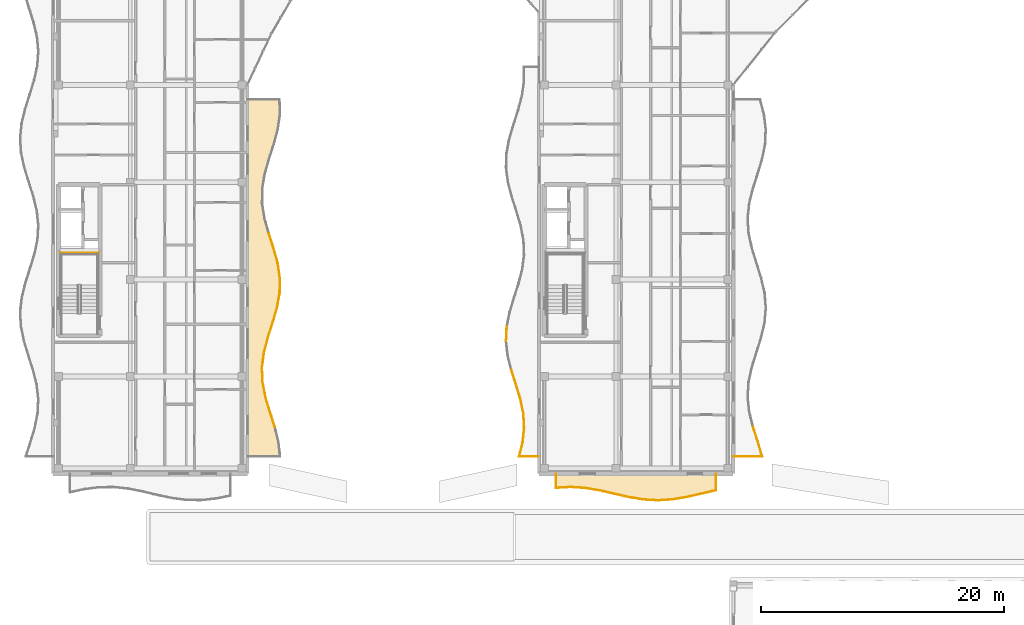
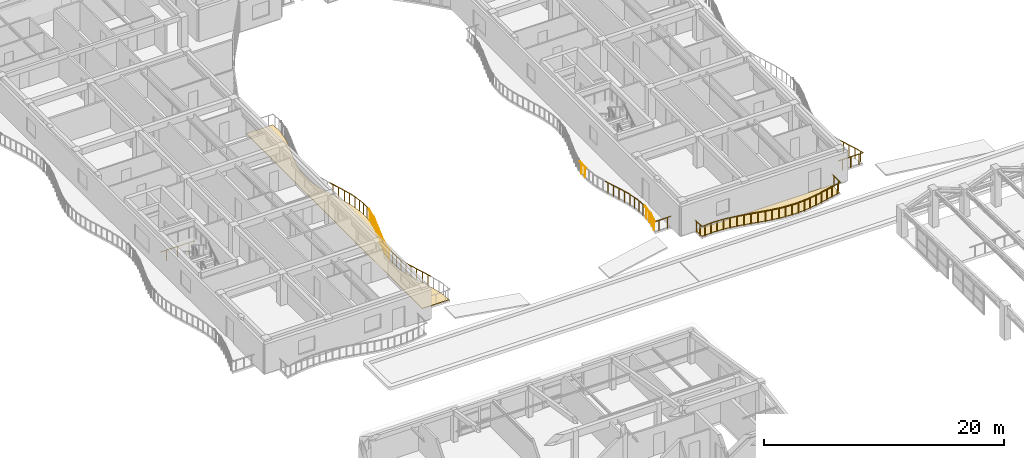
# One storey, part 104 of 128: 38 railings, 2 coverings.
"""IFC4 building model written with IfcOpenShell, lengths in metres."""

from ifc_helpers import new_model, si_unit, direction, frame, origin, origin_2d, place, context, subcontext, project, spatial, polyline, circle, outline, extrude, material, layer, layer_set, type_object, element, save


model = new_model("IFC4")

# Units and contexts
model_context = context("Model", 3, precision=1e-05, world=origin(), true_north=direction((0.0, 1.0)))
body_context = subcontext(model_context, "Body", "Model", "MODEL_VIEW")
ifc_project = project(units=[si_unit("LENGTHUNIT", "METRE"), si_unit("AREAUNIT", "SQUARE_METRE"), si_unit("VOLUMEUNIT", "CUBIC_METRE"), si_unit("PLANEANGLEUNIT", "RADIAN"), si_unit("MASSUNIT", "GRAM", prefix="KILO")], contexts=[model_context])

# Site, building, storey
site_placement = place(None, origin())
site = spatial("IfcSite", under=ifc_project, at=site_placement, CompositionType="ELEMENT")
building_placement = place(site_placement, origin())
building = spatial("IfcBuilding", under=site, at=building_placement, Name="Keldmere Railside Commons", CompositionType="ELEMENT")
storey_placement = place(building_placement, frame((0.0, 0.0, 4.159912109375)))
storey = spatial("IfcBuildingStorey", under=building, at=storey_placement, Name="L01", CompositionType="ELEMENT", Elevation=4.159912109375)

# Railings
ifc_material_1 = material(Name="Steel F-24 (S235)", Category="steel")
railing_type_1 = type_object("IfcRailingType", Name="Balcony & Terrace Steel Balustrade 1100", PredefinedType="BALUSTRADE", material=ifc_material_1)
railing_1_placement = place(storey_placement, frame((26.257568359375, 59.85009765625, 0.0)))
element("IfcRailing", 1, at=railing_1_placement, inside=storey, type_object=railing_type_1, Name="GR-1 GRD-L01-0032", PredefinedType="BALUSTRADE", context=body_context, shape_type="SweptSolid", body=[
    extrude(circle(Radius=0.02392578125, at=origin_2d()), frame((0.0, 0.0, 1.076171875), z_axis=(-0.304355456658, 0.952558531536, 0.0), x_axis=(-0.952558531536, -0.304355456658, 0.0)), (0.0, 0.0, 1.0), 1.285888671875),
    extrude(circle(Radius=0.02099609375, at=origin_2d()), frame((-0.097900390625, 0.30615234375, 0.0)), (0.0, 0.0, 1.0), 1.048095703125),
    extrude(circle(Radius=0.02099609375, at=origin_2d()), frame((-0.29345703125, 0.918701171875, 0.0)), (0.0, 0.0, 1.0), 1.048095703125),
])
railing_2_placement = place(storey_placement, frame((25.8662109375, 61.074951171875, 0.0)))
element("IfcRailing", 2, at=railing_2_placement, inside=storey, type_object=railing_type_1, Name="GR-1 GRD-L01-0033", PredefinedType="BALUSTRADE", context=body_context, shape_type="SweptSolid", body=[
    extrude(circle(Radius=0.02392578125, at=origin_2d()), frame((0.0, 0.0, 1.076171875), z_axis=(-0.287628036706, 0.957742195218, 0.0), x_axis=(-0.957742195218, -0.287628036706, 0.0)), (0.0, 0.0, 1.0), 1.279052734375),
    extrude(circle(Radius=0.02099609375, at=origin_2d()), frame((-0.092041015625, 0.30615234375, 0.0)), (0.0, 0.0, 1.0), 1.048095703125),
    extrude(circle(Radius=0.02099609375, at=origin_2d()), frame((-0.27587890625, 0.9189453125, 0.0)), (0.0, 0.0, 1.0), 1.048095703125),
])
railing_3_placement = place(storey_placement, frame((25.498291015625, 62.300048828125, 0.0)))
element("IfcRailing", 3, at=railing_3_placement, inside=storey, type_object=railing_type_1, Name="GR-1 GRD-L01-0034", PredefinedType="BALUSTRADE", context=body_context, shape_type="SweptSolid", body=[
    extrude(circle(Radius=0.02392578125, at=origin_2d()), frame((0.0, 0.0, 1.076171875), z_axis=(-0.193784094747, 0.981044201157, 0.0), x_axis=(-0.981044201157, -0.193784094747, 0.0)), (0.0, 0.0, 1.0), 1.24853515625),
    extrude(circle(Radius=0.02099609375, at=origin_2d()), frame((-0.060546875, 0.30615234375, 0.0)), (0.0, 0.0, 1.0), 1.048095703125),
    extrude(circle(Radius=0.02099609375, at=origin_2d()), frame((-0.181396484375, 0.918701171875, 0.0)), (0.0, 0.0, 1.0), 1.048095703125),
])
railing_4_placement = place(storey_placement, frame((25.25634765625, 63.52490234375, 0.0)))
element("IfcRailing", 4, at=railing_4_placement, inside=storey, type_object=railing_type_1, Name="GR-1 GRD-L01-0035", PredefinedType="BALUSTRADE", context=body_context, shape_type="SweptSolid", body=[
    extrude(circle(Radius=0.02392578125, at=origin_2d()), frame((0.0, 0.0, 1.076171875), z_axis=(-0.039626086302, 0.999214578199, 0.0), x_axis=(-0.999214578199, -0.039626086302, 0.0)), (0.0, 0.0, 1.0), 1.22607421875),
    extrude(circle(Radius=0.02099609375, at=origin_2d()), frame((-0.01220703125, 0.30615234375, 0.0)), (0.0, 0.0, 1.0), 1.048095703125),
    extrude(circle(Radius=0.02099609375, at=origin_2d()), frame((-0.036376953125, 0.9189453125, 0.0)), (0.0, 0.0, 1.0), 1.048095703125),
])
railing_5_placement = place(storey_placement, frame((25.207763671875, 64.75, 0.0)))
element("IfcRailing", 5, at=railing_5_placement, inside=storey, type_object=railing_type_1, Name="GR-1 GRD-L01-0036", PredefinedType="BALUSTRADE", context=body_context, shape_type="SweptSolid", body=[
    extrude(circle(Radius=0.02392578125, at=origin_2d()), frame((0.0, 0.0, 1.076171875), z_axis=(0.128460444743, 0.991714633418, 0.0), x_axis=(-0.991714633418, 0.128460444743, 0.0)), (0.0, 0.0, 1.0), 1.2353515625),
    extrude(circle(Radius=0.02099609375, at=origin_2d()), frame((0.03955078125, 0.30615234375, 0.0)), (0.0, 0.0, 1.0), 1.048095703125),
    extrude(circle(Radius=0.02099609375, at=origin_2d()), frame((0.119140625, 0.9189453125, 0.0)), (0.0, 0.0, 1.0), 1.048095703125),
])
railing_6_placement = place(storey_placement, frame((25.366455078125, 65.97509765625, 0.0)))
element("IfcRailing", 6, at=railing_6_placement, inside=storey, type_object=railing_type_1, Name="GR-1 GRD-L01-0037", PredefinedType="BALUSTRADE", context=body_context, shape_type="SweptSolid", body=[
    extrude(circle(Radius=0.02392578125, at=origin_2d()), frame((0.0, 0.0, 1.076171875), z_axis=(0.253724517148, 0.967276521682, 0.0), x_axis=(-0.967276521682, 0.253724517148, 0.0)), (0.0, 0.0, 1.0), 1.266357421875),
    extrude(circle(Radius=0.02099609375, at=origin_2d()), frame((0.080322265625, 0.30615234375, 0.0)), (0.0, 0.0, 1.0), 1.048095703125),
    extrude(circle(Radius=0.02099609375, at=origin_2d()), frame((0.240966796875, 0.918701171875, 0.0)), (0.0, 0.0, 1.0), 1.048095703125),
])
railing_7_placement = place(storey_placement, frame((25.687744140625, 67.199951171875, 0.0)))
element("IfcRailing", 7, at=railing_7_placement, inside=storey, type_object=railing_type_1, Name="GR-1 GRD-L01-0038", PredefinedType="BALUSTRADE", context=body_context, shape_type="SweptSolid", body=[
    extrude(circle(Radius=0.02392578125, at=origin_2d()), frame((0.0, 0.0, 1.076171875), z_axis=(0.30653719203, 0.951858681687, 0.0), x_axis=(-0.951858681687, 0.30653719203, 0.0)), (0.0, 0.0, 1.0), 1.287109375),
    extrude(circle(Radius=0.02099609375, at=origin_2d()), frame((0.0986328125, 0.30615234375, 0.0)), (0.0, 0.0, 1.0), 1.048095703125),
    extrude(circle(Radius=0.02099609375, at=origin_2d()), frame((0.2958984375, 0.9189453125, 0.0)), (0.0, 0.0, 1.0), 1.048095703125),
])
railing_8_placement = place(storey_placement, frame((26.082275390625, 68.425048828125, 0.0)))
element("IfcRailing", 8, at=railing_8_placement, inside=storey, type_object=railing_type_1, Name="GR-1 GRD-L01-0039", PredefinedType="BALUSTRADE", context=body_context, shape_type="SweptSolid", body=[
    extrude(circle(Radius=0.02392578125, at=origin_2d()), frame((0.0, 0.0, 1.076171875), z_axis=(0.280301219143, 0.959912093135, 0.0), x_axis=(-0.959912093135, 0.280301219143, 0.0)), (0.0, 0.0, 1.0), 1.276123046875),
    extrude(circle(Radius=0.02099609375, at=origin_2d()), frame((0.08935546875, 0.30615234375, 0.0)), (0.0, 0.0, 1.0), 1.048095703125),
    extrude(circle(Radius=0.02099609375, at=origin_2d()), frame((0.268310546875, 0.918701171875, 0.0)), (0.0, 0.0, 1.0), 1.048095703125),
])
railing_9_placement = place(storey_placement, frame((26.43994140625, 69.64990234375, 0.0)))
element("IfcRailing", 9, at=railing_9_placement, inside=storey, type_object=railing_type_1, Name="GR-1 GRD-L01-0040", PredefinedType="BALUSTRADE", context=body_context, shape_type="SweptSolid", body=[
    extrude(circle(Radius=0.02392578125, at=origin_2d()), frame((0.0, 0.0, 1.076171875), z_axis=(0.177487324319, 0.984123086665, 0.0), x_axis=(-0.984123086665, 0.177487324319, 0.0)), (0.0, 0.0, 1.0), 1.244873046875),
    extrude(circle(Radius=0.02099609375, at=origin_2d()), frame((0.05517578125, 0.30615234375, 0.0)), (0.0, 0.0, 1.0), 1.048095703125),
    extrude(circle(Radius=0.02099609375, at=origin_2d()), frame((0.165771484375, 0.9189453125, 0.0)), (0.0, 0.0, 1.0), 1.048095703125),
])
railing_10_placement = place(storey_placement, frame((26.660888671875, 70.875, 0.0)))
element("IfcRailing", 10, at=railing_10_placement, inside=storey, type_object=railing_type_1, Name="GR-1 GRD-L01-0041", PredefinedType="BALUSTRADE", context=body_context, shape_type="SweptSolid", body=[
    extrude(circle(Radius=0.02392578125, at=origin_2d()), frame((0.0, 0.0, 1.076171875), z_axis=(0.018530098083, 0.999828302993, 0.0), x_axis=(-0.999828302993, 0.018530098083, 0.0)), (0.0, 0.0, 1.0), 1.225341796875),
    extrude(circle(Radius=0.02099609375, at=origin_2d()), frame((0.005615234375, 0.30615234375, 0.0)), (0.0, 0.0, 1.0), 1.048095703125),
    extrude(circle(Radius=0.02099609375, at=origin_2d()), frame((0.01708984375, 0.9189453125, 0.0)), (0.0, 0.0, 1.0), 1.048095703125),
])
railing_11_placement = place(storey_placement, frame((26.68359375, 72.10009765625, 0.0)))
element("IfcRailing", 11, at=railing_11_placement, inside=storey, type_object=railing_type_1, Name="GR-1 GRD-L01-0042", PredefinedType="BALUSTRADE", context=body_context, shape_type="SweptSolid", body=[
    extrude(circle(Radius=0.02392578125, at=origin_2d()), frame((0.0, 0.0, 1.076171875), z_axis=(-0.147077385167, 0.989124988448, 0.0), x_axis=(-0.989124988448, -0.147077385167, 0.0)), (0.0, 0.0, 1.0), 1.23828125),
    extrude(circle(Radius=0.02099609375, at=origin_2d()), frame((-0.04541015625, 0.30615234375, 0.0)), (0.0, 0.0, 1.0), 1.048095703125),
    extrude(circle(Radius=0.02099609375, at=origin_2d()), frame((-0.13671875, 0.918701171875, 0.0)), (0.0, 0.0, 1.0), 1.048095703125),
])
railing_12_placement = place(storey_placement, frame((26.50146484375, 73.324951171875, 0.0)))
element("IfcRailing", 12, at=railing_12_placement, inside=storey, type_object=railing_type_1, Name="GR-1 GRD-L01-0043", PredefinedType="BALUSTRADE", context=body_context, shape_type="SweptSolid", body=[
    extrude(circle(Radius=0.02392578125, at=origin_2d()), frame((0.0, 0.0, 1.076171875), z_axis=(-0.264271882184, 0.964448221672, 0.0), x_axis=(-0.964448221672, -0.264271882184, 0.0)), (0.0, 0.0, 1.0), 1.270263671875),
    extrude(circle(Radius=0.02099609375, at=origin_2d()), frame((-0.083984375, 0.30615234375, 0.0)), (0.0, 0.0, 1.0), 1.048095703125),
    extrude(circle(Radius=0.02099609375, at=origin_2d()), frame((-0.251708984375, 0.9189453125, 0.0)), (0.0, 0.0, 1.0), 1.048095703125),
])
railing_13_placement = place(storey_placement, frame((26.165771484375, 74.550048828125, 0.0)))
element("IfcRailing", 13, at=railing_13_placement, inside=storey, type_object=railing_type_1, Name="GR-1 GRD-L01-0044", PredefinedType="BALUSTRADE", context=body_context, shape_type="SweptSolid", body=[
    extrude(circle(Radius=0.02392578125, at=origin_2d()), frame((0.0, 0.0, 1.076171875), z_axis=(-0.307623344655, 0.951508212168, 0.0), x_axis=(-0.951508212168, -0.307623344655, 0.0)), (0.0, 0.0, 1.0), 1.287353515625),
    extrude(circle(Radius=0.02099609375, at=origin_2d()), frame((-0.09912109375, 0.30615234375, 0.0)), (0.0, 0.0, 1.0), 1.048095703125),
    extrude(circle(Radius=0.02099609375, at=origin_2d()), frame((-0.296875, 0.918701171875, 0.0)), (0.0, 0.0, 1.0), 1.048095703125),
])
railing_14_placement = place(storey_placement, frame((64.0, 57.39990234375, 0.0)))
element("IfcRailing", 14, at=railing_14_placement, inside=storey, type_object=railing_type_1, Name="GR-1 GRD-L01-0825", PredefinedType="BALUSTRADE", context=body_context, shape_type="SweptSolid", body=[
    extrude(circle(Radius=0.02392578125, at=origin_2d()), frame((0.0, 0.0, 1.076171875), z_axis=(1.0, 0.0, 0.0), x_axis=(0.0, 1.0, 0.0)), (0.0, 0.0, 1.0), 2.39892578125),
    extrude(circle(Radius=0.02099609375, at=origin_2d()), frame((0.39990234375, 0.0, 0.0)), (0.0, 0.0, 1.0), 1.048095703125),
    extrude(circle(Radius=0.02099609375, at=origin_2d()), frame((1.199462890625, 0.0, 0.0)), (0.0, 0.0, 1.0), 1.048095703125),
    extrude(circle(Radius=0.02099609375, at=origin_2d()), frame((1.9990234375, 0.0, 0.0)), (0.0, 0.0, 1.0), 1.048095703125),
])
railing_15_placement = place(storey_placement, frame((66.39892578125, 57.39990234375, 0.0)))
element("IfcRailing", 15, at=railing_15_placement, inside=storey, type_object=railing_type_1, Name="GR-1 GRD-L01-0826", PredefinedType="BALUSTRADE", context=body_context, shape_type="SweptSolid", body=[
    extrude(circle(Radius=0.02392578125, at=origin_2d()), frame((0.0, 0.0, 1.076171875), z_axis=(-0.288153121112, 0.957584345524, 0.0), x_axis=(-0.957584345524, -0.288153121112, 0.0)), (0.0, 0.0, 1.0), 1.279296875),
    extrude(circle(Radius=0.02099609375, at=origin_2d()), frame((-0.09228515625, 0.30615234375, 0.0)), (0.0, 0.0, 1.0), 1.048095703125),
    extrude(circle(Radius=0.02099609375, at=origin_2d()), frame((-0.2763671875, 0.9189453125, 0.0)), (0.0, 0.0, 1.0), 1.048095703125),
])
railing_16_placement = place(storey_placement, frame((66.0302734375, 58.625, 0.0)))
element("IfcRailing", 16, at=railing_16_placement, inside=storey, type_object=railing_type_1, Name="GR-1 GRD-L01-0827", PredefinedType="BALUSTRADE", context=body_context, shape_type="SweptSolid", body=[
    extrude(circle(Radius=0.02392578125, at=origin_2d()), frame((0.0, 0.0, 1.076171875), z_axis=(-0.304128152229, 0.952631128518, 0.0), x_axis=(-0.952631128518, -0.304128152229, 0.0)), (0.0, 0.0, 1.0), 1.2861328125),
    extrude(circle(Radius=0.02099609375, at=origin_2d()), frame((-0.09765625, 0.30615234375, 0.0)), (0.0, 0.0, 1.0), 1.048095703125),
    extrude(circle(Radius=0.02099609375, at=origin_2d()), frame((-0.29345703125, 0.9189453125, 0.0)), (0.0, 0.0, 1.0), 1.048095703125),
])
railing_17_placement = place(storey_placement, frame((48.0, 57.39990234375, 0.0)))
element("IfcRailing", 17, at=railing_17_placement, inside=storey, type_object=railing_type_1, Name="GR-1 GRD-L01-0851", PredefinedType="BALUSTRADE", context=body_context, shape_type="SweptSolid", body=[
    extrude(circle(Radius=0.02392578125, at=origin_2d()), frame((0.0, 0.0, 1.076171875), z_axis=(-1.0, 0.0, 0.0), x_axis=(0.0, -1.0, 0.0)), (0.0, 0.0, 1.0), 1.6181640625),
    extrude(circle(Radius=0.02099609375, at=origin_2d()), frame((-0.404541015625, 0.0, 0.0)), (0.0, 0.0, 1.0), 1.048095703125),
    extrude(circle(Radius=0.02099609375, at=origin_2d()), frame((-1.213623046875, 0.0, 0.0)), (0.0, 0.0, 1.0), 1.048095703125),
])
railing_18_placement = place(storey_placement, frame((46.3818359375, 57.39990234375, 0.0)))
element("IfcRailing", 18, at=railing_18_placement, inside=storey, type_object=railing_type_1, Name="GR-1 GRD-L01-0852", PredefinedType="BALUSTRADE", context=body_context, shape_type="SweptSolid", body=[
    extrude(circle(Radius=0.02392578125, at=origin_2d()), frame((0.0, 0.0, 1.076171875), z_axis=(0.236804621239, 0.971557291857, 0.0), x_axis=(-0.971557291857, 0.236804621239, 0.0)), (0.0, 0.0, 1.0), 1.223876953125),
    extrude(circle(Radius=0.02099609375, at=origin_2d()), frame((0.072509765625, 0.29736328125, 0.0)), (0.0, 0.0, 1.0), 1.048095703125),
    extrude(circle(Radius=0.02099609375, at=origin_2d()), frame((0.21728515625, 0.8916015625, 0.0)), (0.0, 0.0, 1.0), 1.048095703125),
])
railing_19_placement = place(storey_placement, frame((46.671630859375, 58.5888671875, 0.0)))
element("IfcRailing", 19, at=railing_19_placement, inside=storey, type_object=railing_type_1, Name="GR-1 GRD-L01-0853", PredefinedType="BALUSTRADE", context=body_context, shape_type="SweptSolid", body=[
    extrude(circle(Radius=0.02392578125, at=origin_2d()), frame((0.0, 0.0, 1.076171875), z_axis=(0.105566962131, 0.994412196479, 0.0), x_axis=(-0.994412196479, 0.105566962131, 0.0)), (0.0, 0.0, 1.0), 1.195556640625),
    extrude(circle(Radius=0.02099609375, at=origin_2d()), frame((0.031494140625, 0.29736328125, 0.0)), (0.0, 0.0, 1.0), 1.048095703125),
    extrude(circle(Radius=0.02099609375, at=origin_2d()), frame((0.0947265625, 0.8916015625, 0.0)), (0.0, 0.0, 1.0), 1.048095703125),
])
railing_20_placement = place(storey_placement, frame((46.7978515625, 59.77783203125, 0.0)))
element("IfcRailing", 20, at=railing_20_placement, inside=storey, type_object=railing_type_1, Name="GR-1 GRD-L01-0854", PredefinedType="BALUSTRADE", context=body_context, shape_type="SweptSolid", body=[
    extrude(circle(Radius=0.02392578125, at=origin_2d()), frame((0.0, 0.0, 1.076171875), z_axis=(-0.059238700521, 0.998243846142, 0.0), x_axis=(-0.998243846142, -0.059238700521, 0.0)), (0.0, 0.0, 1.0), 1.191162109375),
    extrude(circle(Radius=0.02099609375, at=origin_2d()), frame((-0.017578125, 0.29736328125, 0.0)), (0.0, 0.0, 1.0), 1.048095703125),
    extrude(circle(Radius=0.02099609375, at=origin_2d()), frame((-0.052978515625, 0.8916015625, 0.0)), (0.0, 0.0, 1.0), 1.048095703125),
])
railing_21_placement = place(storey_placement, frame((46.727294921875, 60.966796875, 0.0)))
element("IfcRailing", 21, at=railing_21_placement, inside=storey, type_object=railing_type_1, Name="GR-1 GRD-L01-0855", PredefinedType="BALUSTRADE", context=body_context, shape_type="SweptSolid", body=[
    extrude(circle(Radius=0.02392578125, at=origin_2d()), frame((0.0, 0.0, 1.076171875), z_axis=(-0.20484523884, 0.978794374792, 0.0), x_axis=(-0.978794374792, -0.20484523884, 0.0)), (0.0, 0.0, 1.0), 1.21435546875),
    extrude(circle(Radius=0.02099609375, at=origin_2d()), frame((-0.062255859375, 0.297119140625, 0.0)), (0.0, 0.0, 1.0), 1.048095703125),
    extrude(circle(Radius=0.02099609375, at=origin_2d()), frame((-0.1865234375, 0.8916015625, 0.0)), (0.0, 0.0, 1.0), 1.048095703125),
])
railing_22_placement = place(storey_placement, frame((46.478515625, 62.155517578125, 0.0)))
element("IfcRailing", 22, at=railing_22_placement, inside=storey, type_object=railing_type_1, Name="GR-1 GRD-L01-0856", PredefinedType="BALUSTRADE", context=body_context, shape_type="SweptSolid", body=[
    extrude(circle(Radius=0.02392578125, at=origin_2d()), frame((0.0, 0.0, 1.076171875), z_axis=(-0.290950538036, 0.956738096041, 0.0), x_axis=(-0.956738096041, -0.290950538036, 0.0)), (0.0, 0.0, 1.0), 1.24267578125),
    extrude(circle(Radius=0.02099609375, at=origin_2d()), frame((-0.09033203125, 0.29736328125, 0.0)), (0.0, 0.0, 1.0), 1.048095703125),
    extrude(circle(Radius=0.02099609375, at=origin_2d()), frame((-0.271240234375, 0.8916015625, 0.0)), (0.0, 0.0, 1.0), 1.048095703125),
])
railing_23_placement = place(storey_placement, frame((46.116943359375, 63.344482421875, 0.0)))
element("IfcRailing", 23, at=railing_23_placement, inside=storey, type_object=railing_type_1, Name="GR-1 GRD-L01-0857", PredefinedType="BALUSTRADE", context=body_context, shape_type="SweptSolid", body=[
    extrude(circle(Radius=0.02392578125, at=origin_2d()), frame((0.0, 0.0, 1.076171875), z_axis=(-0.303873922883, 0.952712254037, 0.0), x_axis=(-0.952712254037, -0.303873922883, 0.0)), (0.0, 0.0, 1.0), 1.247802734375),
    extrude(circle(Radius=0.02099609375, at=origin_2d()), frame((-0.0947265625, 0.297119140625, 0.0)), (0.0, 0.0, 1.0), 1.048095703125),
    extrude(circle(Radius=0.02099609375, at=origin_2d()), frame((-0.284423828125, 0.8916015625, 0.0)), (0.0, 0.0, 1.0), 1.048095703125),
])
railing_24_placement = place(storey_placement, frame((45.30419921875, 66.9111328125, 0.0)))
element("IfcRailing", 24, at=railing_24_placement, inside=storey, type_object=railing_type_1, Name="GR-1 GRD-L01-0860", PredefinedType="BALUSTRADE", context=body_context, shape_type="SweptSolid", body=[
    extrude(circle(Radius=0.02392578125, at=origin_2d()), frame((0.0, 0.0, 1.076171875), z_axis=(0.049835330565, 0.998757447946, 0.0), x_axis=(-0.998757447946, 0.049835330565, 0.0)), (0.0, 0.0, 1.0), 1.1904296875),
    extrude(circle(Radius=0.02099609375, at=origin_2d()), frame((0.014892578125, 0.29736328125, 0.0)), (0.0, 0.0, 1.0), 1.048095703125),
    extrude(circle(Radius=0.02099609375, at=origin_2d()), frame((0.04443359375, 0.8916015625, 0.0)), (0.0, 0.0, 1.0), 1.048095703125),
])
railing_25_placement = place(storey_placement, frame((49.39990234375, 56.0, 0.0)))
element("IfcRailing", 25, at=railing_25_placement, inside=storey, type_object=railing_type_1, Name="GR-1 GRD-L01-0906", PredefinedType="BALUSTRADE", context=body_context, shape_type="SweptSolid", body=[
    extrude(circle(Radius=0.02392578125, at=origin_2d()), frame((0.0, 0.0, 1.076171875), z_axis=(0.0, -1.0, 0.0), x_axis=(1.0, 0.0, 0.0)), (0.0, 0.0, 1.0), 1.170654296875),
    extrude(circle(Radius=0.02099609375, at=origin_2d()), frame((0.0, -0.292724609375, 0.0)), (0.0, 0.0, 1.0), 1.048095703125),
    extrude(circle(Radius=0.02099609375, at=origin_2d()), frame((0.0, -0.8779296875, 0.0)), (0.0, 0.0, 1.0), 1.048095703125),
])
railing_26_placement = place(storey_placement, frame((49.39990234375, 54.829345703125, 0.0)))
element("IfcRailing", 26, at=railing_26_placement, inside=storey, type_object=railing_type_1, Name="GR-1 GRD-L01-0907", PredefinedType="BALUSTRADE", context=body_context, shape_type="SweptSolid", body=[
    extrude(circle(Radius=0.02392578125, at=origin_2d()), frame((0.0, 0.0, 1.076171875), z_axis=(0.998276473227, 0.058686310163, 0.0), x_axis=(-0.058686310163, 0.998276473227, 0.0)), (0.0, 0.0, 1.0), 1.2021484375),
    extrude(circle(Radius=0.02099609375, at=origin_2d()), frame((0.300048828125, 0.017578125, 0.0)), (0.0, 0.0, 1.0), 1.048095703125),
    extrude(circle(Radius=0.02099609375, at=origin_2d()), frame((0.900146484375, 0.052978515625, 0.0)), (0.0, 0.0, 1.0), 1.048095703125),
])
railing_27_placement = place(storey_placement, frame((50.60009765625, 54.89990234375, 0.0)))
element("IfcRailing", 27, at=railing_27_placement, inside=storey, type_object=railing_type_1, Name="GR-1 GRD-L01-0908", PredefinedType="BALUSTRADE", context=body_context, shape_type="SweptSolid", body=[
    extrude(circle(Radius=0.02392578125, at=origin_2d()), frame((0.0, 0.0, 1.076171875), z_axis=(0.997965511075, -0.063756087584, 0.0), x_axis=(0.063756087584, 0.997965511075, 0.0)), (0.0, 0.0, 1.0), 1.202392578125),
    extrude(circle(Radius=0.02099609375, at=origin_2d()), frame((0.300048828125, -0.01904296875, 0.0)), (0.0, 0.0, 1.0), 1.048095703125),
    extrude(circle(Radius=0.02099609375, at=origin_2d()), frame((0.89990234375, -0.0576171875, 0.0)), (0.0, 0.0, 1.0), 1.048095703125),
])
railing_28_placement = place(storey_placement, frame((51.800048828125, 54.8232421875, 0.0)))
element("IfcRailing", 28, at=railing_28_placement, inside=storey, type_object=railing_type_1, Name="GR-1 GRD-L01-0909", PredefinedType="BALUSTRADE", context=body_context, shape_type="SweptSolid", body=[
    extrude(circle(Radius=0.02392578125, at=origin_2d()), frame((0.0, 0.0, 1.076171875), z_axis=(0.985907171586, -0.167293302361, 0.0), x_axis=(0.167293302361, 0.985907171586, 0.0)), (0.0, 0.0, 1.0), 1.217041015625),
    extrude(circle(Radius=0.02099609375, at=origin_2d()), frame((0.300048828125, -0.05078125, 0.0)), (0.0, 0.0, 1.0), 1.048095703125),
    extrude(circle(Radius=0.02099609375, at=origin_2d()), frame((0.89990234375, -0.15283203125, 0.0)), (0.0, 0.0, 1.0), 1.048095703125),
])
railing_29_placement = place(storey_placement, frame((53.0, 54.61962890625, 0.0)))
element("IfcRailing", 29, at=railing_29_placement, inside=storey, type_object=railing_type_1, Name="GR-1 GRD-L01-0910", PredefinedType="BALUSTRADE", context=body_context, shape_type="SweptSolid", body=[
    extrude(circle(Radius=0.02392578125, at=origin_2d()), frame((0.0, 0.0, 1.076171875), z_axis=(0.974574674411, -0.224062946507, 0.0), x_axis=(0.224062946507, 0.974574674411, 0.0)), (0.0, 0.0, 1.0), 1.231201171875),
    extrude(circle(Radius=0.02099609375, at=origin_2d()), frame((0.300048828125, -0.06884765625, 0.0)), (0.0, 0.0, 1.0), 1.048095703125),
    extrude(circle(Radius=0.02099609375, at=origin_2d()), frame((0.89990234375, -0.20703125, 0.0)), (0.0, 0.0, 1.0), 1.048095703125),
])
railing_30_placement = place(storey_placement, frame((54.199951171875, 54.34375, 0.0)))
element("IfcRailing", 30, at=railing_30_placement, inside=storey, type_object=railing_type_1, Name="GR-1 GRD-L01-0911", PredefinedType="BALUSTRADE", context=body_context, shape_type="SweptSolid", body=[
    extrude(circle(Radius=0.02392578125, at=origin_2d()), frame((0.0, 0.0, 1.076171875), z_axis=(0.97487696845, -0.222744015375, 0.0), x_axis=(0.222744015375, 0.97487696845, 0.0)), (0.0, 0.0, 1.0), 1.23095703125),
    extrude(circle(Radius=0.02099609375, at=origin_2d()), frame((0.300048828125, -0.068603515625, 0.0)), (0.0, 0.0, 1.0), 1.048095703125),
    extrude(circle(Radius=0.02099609375, at=origin_2d()), frame((0.89990234375, -0.20556640625, 0.0)), (0.0, 0.0, 1.0), 1.048095703125),
])
railing_31_placement = place(storey_placement, frame((55.39990234375, 54.069580078125, 0.0)))
element("IfcRailing", 31, at=railing_31_placement, inside=storey, type_object=railing_type_1, Name="GR-1 GRD-L01-0912", PredefinedType="BALUSTRADE", context=body_context, shape_type="SweptSolid", body=[
    extrude(circle(Radius=0.02392578125, at=origin_2d()), frame((0.0, 0.0, 1.076171875), z_axis=(0.986534578141, -0.163552823675, 0.0), x_axis=(0.163552823675, 0.986534578141, 0.0)), (0.0, 0.0, 1.0), 1.216552734375),
    extrude(circle(Radius=0.02099609375, at=origin_2d()), frame((0.300048828125, -0.0498046875, 0.0)), (0.0, 0.0, 1.0), 1.048095703125),
    extrude(circle(Radius=0.02099609375, at=origin_2d()), frame((0.900146484375, -0.149169921875, 0.0)), (0.0, 0.0, 1.0), 1.048095703125),
])
railing_32_placement = place(storey_placement, frame((56.60009765625, 53.87060546875, 0.0)))
element("IfcRailing", 32, at=railing_32_placement, inside=storey, type_object=railing_type_1, Name="GR-1 GRD-L01-0913", PredefinedType="BALUSTRADE", context=body_context, shape_type="SweptSolid", body=[
    extrude(circle(Radius=0.02392578125, at=origin_2d()), frame((0.0, 0.0, 1.076171875), z_axis=(0.998275773636, -0.058698209274, 0.0), x_axis=(0.058698209274, 0.998275773636, 0.0)), (0.0, 0.0, 1.0), 1.201904296875),
    extrude(circle(Radius=0.02099609375, at=origin_2d()), frame((0.300048828125, -0.017578125, 0.0)), (0.0, 0.0, 1.0), 1.048095703125),
    extrude(circle(Radius=0.02099609375, at=origin_2d()), frame((0.89990234375, -0.052978515625, 0.0)), (0.0, 0.0, 1.0), 1.048095703125),
])
railing_33_placement = place(storey_placement, frame((57.800048828125, 53.800048828125, 0.0)))
element("IfcRailing", 33, at=railing_33_placement, inside=storey, type_object=railing_type_1, Name="GR-1 GRD-L01-0914", PredefinedType="BALUSTRADE", context=body_context, shape_type="SweptSolid", body=[
    extrude(circle(Radius=0.02392578125, at=origin_2d()), frame((0.0, 0.0, 1.076171875), z_axis=(0.997965511075, 0.063756087584, 0.0), x_axis=(-0.063756087584, 0.997965511075, 0.0)), (0.0, 0.0, 1.0), 1.202392578125),
    extrude(circle(Radius=0.02099609375, at=origin_2d()), frame((0.300048828125, 0.01904296875, 0.0)), (0.0, 0.0, 1.0), 1.048095703125),
    extrude(circle(Radius=0.02099609375, at=origin_2d()), frame((0.89990234375, 0.0576171875, 0.0)), (0.0, 0.0, 1.0), 1.048095703125),
])
railing_34_placement = place(storey_placement, frame((59.0, 53.876708984375, 0.0)))
element("IfcRailing", 34, at=railing_34_placement, inside=storey, type_object=railing_type_1, Name="GR-1 GRD-L01-0915", PredefinedType="BALUSTRADE", context=body_context, shape_type="SweptSolid", body=[
    extrude(circle(Radius=0.02392578125, at=origin_2d()), frame((0.0, 0.0, 1.076171875), z_axis=(0.985907171586, 0.167293302361, 0.0), x_axis=(-0.167293302361, 0.985907171586, 0.0)), (0.0, 0.0, 1.0), 1.217041015625),
    extrude(circle(Radius=0.02099609375, at=origin_2d()), frame((0.300048828125, 0.05078125, 0.0)), (0.0, 0.0, 1.0), 1.048095703125),
    extrude(circle(Radius=0.02099609375, at=origin_2d()), frame((0.89990234375, 0.15283203125, 0.0)), (0.0, 0.0, 1.0), 1.048095703125),
])
railing_35_placement = place(storey_placement, frame((60.199951171875, 54.080322265625, 0.0)))
element("IfcRailing", 35, at=railing_35_placement, inside=storey, type_object=railing_type_1, Name="GR-1 GRD-L01-0916", PredefinedType="BALUSTRADE", context=body_context, shape_type="SweptSolid", body=[
    extrude(circle(Radius=0.02392578125, at=origin_2d()), frame((0.0, 0.0, 1.076171875), z_axis=(0.974574674411, 0.224062946507, 0.0), x_axis=(-0.224062946507, 0.974574674411, 0.0)), (0.0, 0.0, 1.0), 1.231201171875),
    extrude(circle(Radius=0.02099609375, at=origin_2d()), frame((0.300048828125, 0.06884765625, 0.0)), (0.0, 0.0, 1.0), 1.048095703125),
    extrude(circle(Radius=0.02099609375, at=origin_2d()), frame((0.89990234375, 0.20703125, 0.0)), (0.0, 0.0, 1.0), 1.048095703125),
])
railing_36_placement = place(storey_placement, frame((61.39990234375, 54.356201171875, 0.0)))
element("IfcRailing", 36, at=railing_36_placement, inside=storey, type_object=railing_type_1, Name="GR-1 GRD-L01-0917", PredefinedType="BALUSTRADE", context=body_context, shape_type="SweptSolid", body=[
    extrude(circle(Radius=0.02392578125, at=origin_2d()), frame((0.0, 0.0, 1.076171875), z_axis=(0.974886806577, 0.222700952764, 0.0), x_axis=(-0.222700952764, 0.974886806577, 0.0)), (0.0, 0.0, 1.0), 1.231201171875),
    extrude(circle(Radius=0.02099609375, at=origin_2d()), frame((0.300048828125, 0.068603515625, 0.0)), (0.0, 0.0, 1.0), 1.048095703125),
    extrude(circle(Radius=0.02099609375, at=origin_2d()), frame((0.900146484375, 0.20556640625, 0.0)), (0.0, 0.0, 1.0), 1.048095703125),
])
railing_37_placement = place(storey_placement, frame((62.60009765625, 54.63037109375, 0.0)))
element("IfcRailing", 37, at=railing_37_placement, inside=storey, type_object=railing_type_1, Name="GR-1 GRD-L01-0918", PredefinedType="BALUSTRADE", context=body_context, shape_type="SweptSolid", body=[
    extrude(circle(Radius=0.02392578125, at=origin_2d()), frame((0.0, 0.0, 1.076171875), z_axis=(0.0, 1.0, 0.0), x_axis=(-1.0, 0.0, 0.0)), (0.0, 0.0, 1.0), 1.36962890625),
    extrude(circle(Radius=0.02099609375, at=origin_2d()), frame((0.0, 0.34228515625, 0.0)), (0.0, 0.0, 1.0), 1.048095703125),
    extrude(circle(Radius=0.02099609375, at=origin_2d()), frame((0.0, 1.02734375, 0.0)), (0.0, 0.0, 1.0), 1.048095703125),
])
railing_type_2 = type_object("IfcRailingType", Name="Stair Well Steel Guardrail 1100", PredefinedType="BALUSTRADE", material=ifc_material_1)
railing_38_placement = place(storey_placement, frame((11.800048828125, 74.14990234375, 0.0)))
element("IfcRailing", 38, at=railing_38_placement, inside=storey, type_object=railing_type_2, Name="L01 ST-D1 stair guard 12", PredefinedType="BALUSTRADE", context=body_context, shape_type="SweptSolid", body=[
    extrude(circle(Radius=0.02392578125, at=origin_2d()), frame((0.0, 0.0, 1.076171875), z_axis=(-1.0, 0.0, 0.0), x_axis=(0.0, -1.0, 0.0)), (0.0, 0.0, 1.0), 3.25),
    extrude(circle(Radius=0.02099609375, at=origin_2d()), frame((-0.541748046875, 0.0, 0.0)), (0.0, 0.0, 1.0), 1.048095703125),
    extrude(circle(Radius=0.02099609375, at=origin_2d()), frame((-1.625, 0.0, 0.0)), (0.0, 0.0, 1.0), 1.048095703125),
    extrude(circle(Radius=0.02099609375, at=origin_2d()), frame((-2.708251953125, 0.0, 0.0)), (0.0, 0.0, 1.0), 1.048095703125),
])

# Coverings
ifc_material_2 = material(Name="White Precast Concrete C35/45", Category="concrete")
ifc_layer = layer(ifc_material_2, 0.044921875, Name="White Architectural Balcony Ribbon Cladding 45")
ifc_layer_set = layer_set([ifc_layer], Name="White Precast Concrete C35/45")
covering_type = type_object("IfcCoveringType", Name="White Architectural Balcony Ribbon Cladding 45", PredefinedType="FLOORING", material=ifc_layer_set)
covering_1_placement = place(storey_placement, origin())
element("IfcCovering", 39, at=covering_1_placement, inside=storey, type_object=covering_type, Name="CLG-WB D L01 CE White Balcony Ribbon", PredefinedType="FLOORING", context=body_context, shape_type="SweptSolid", body=[
    extrude(outline(polyline([(26.523681640625, 58.617919921875), (26.218994140625, 59.839111328125), (25.828125, 61.062744140625), (25.827880859375, 61.0634765625), (25.4599609375, 62.28857421875), (25.458984375, 62.292236328125), (25.217041015625, 63.517333984375), (25.216552734375, 63.520263671875), (25.21630859375, 63.5234375), (25.167724609375, 64.748291015625), (25.167724609375, 64.751708984375), (25.168212890625, 64.755126953125), (25.32666015625, 65.97998046875), (25.32763671875, 65.985107421875), (25.649169921875, 67.210205078125), (25.649658203125, 67.21240234375), (26.044189453125, 68.436767578125), (26.40087890625, 69.6591796875), (26.62109375, 70.87890625), (26.643310546875, 72.097412109375), (26.46240234375, 73.316650390625), (26.12744140625, 74.53857421875), (25.731689453125, 75.7626953125), (25.731201171875, 75.76416015625), (25.385498046875, 76.989013671875), (25.384521484375, 76.99365234375), (25.185546875, 78.218505859375), (25.18505859375, 78.2216796875), (25.18505859375, 78.22509765625), (25.188232421875, 79.4501953125), (25.1884765625, 79.453369140625), (25.188720703125, 79.45654296875), (25.393310546875, 80.681640625), (25.394287109375, 80.68603515625), (25.743408203125, 81.910888671875), (25.74365234375, 81.912353515625), (26.13916015625, 83.136474609375), (26.470703125, 84.358154296875), (26.64599609375, 85.577392578125), (26.61767578125, 86.760009765625), (24.0400390625, 86.760009765625), (24.0400390625, 57.43994140625), (26.653076171875, 57.43994140625), (26.523681640625, 58.617919921875)])), origin(), (0.0, 0.0, 1.0), 0.045166015625),
])
covering_2_placement = place(storey_placement, origin())
element("IfcCovering", 40, at=covering_2_placement, inside=storey, type_object=covering_type, Name="CLG-WB C L01 S White Balcony Ribbon", PredefinedType="FLOORING", context=body_context, shape_type="SweptSolid", body=[
    extrude(outline(polyline([(50.59765625, 54.93994140625), (50.6025390625, 54.93994140625), (51.802490234375, 54.863037109375), (51.806640625, 54.862548828125), (53.006591796875, 54.658935546875), (53.009033203125, 54.65869140625), (54.208984375, 54.3828125), (55.40771484375, 54.10888671875), (56.6044921875, 53.910400390625), (57.7998046875, 53.840087890625), (58.995361328125, 53.91650390625), (60.192138671875, 54.11962890625), (61.39111328125, 54.395263671875), (61.39111328125, 54.395263671875), (62.56005859375, 54.662109375), (62.56005859375, 55.9599609375), (49.43994140625, 55.9599609375), (49.43994140625, 54.871826171875), (50.59765625, 54.93994140625)])), origin(), (0.0, 0.0, 1.0), 0.045166015625),
])

save(model, "model.ifc")
